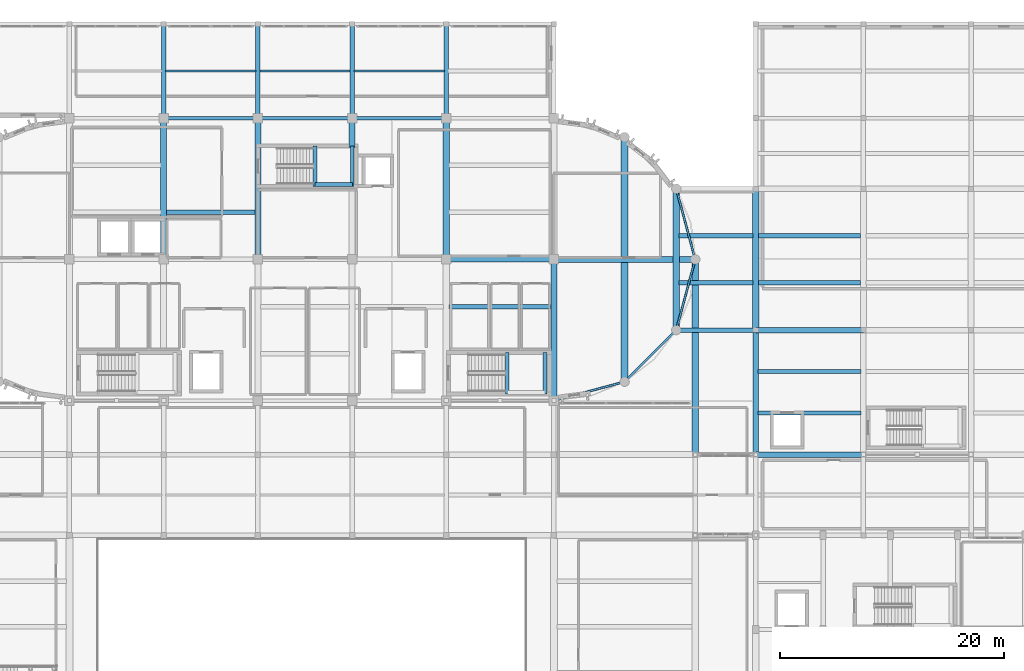
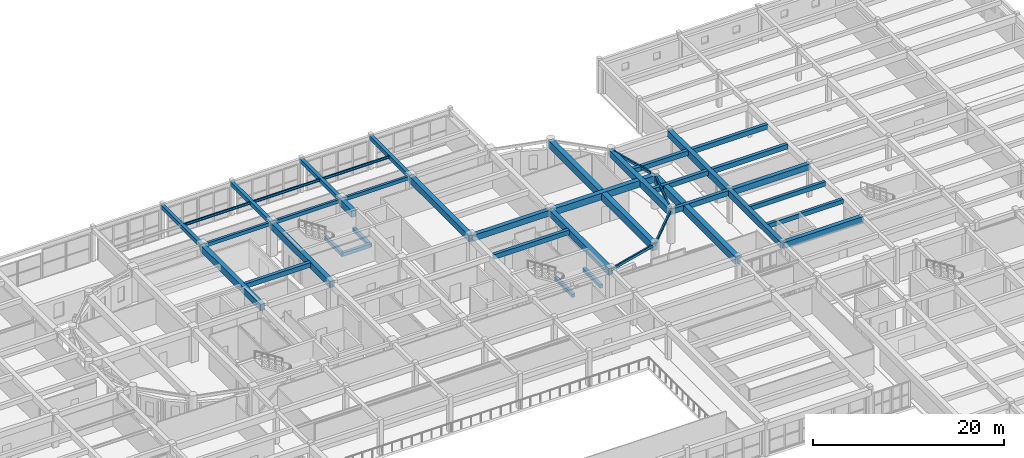
# One storey, part 38 of 92: 42 beams.
"""IFC4 building model written with IfcOpenShell, lengths in metres."""

from ifc_helpers import new_model, si_unit, direction, frame, origin, origin_2d, place, context, subcontext, project, spatial, rectangle, hollow_rectangle, i_section, extrude, material, material_profile, profile_set, type_object, element, save


model = new_model("IFC4")

# Units and contexts
model_context = context("Model", 3, precision=1e-05, world=origin(), true_north=direction((0.0, 1.0)))
body_context = subcontext(model_context, "Body", "Model", "MODEL_VIEW")
ifc_project = project(units=[si_unit("LENGTHUNIT", "METRE"), si_unit("AREAUNIT", "SQUARE_METRE"), si_unit("VOLUMEUNIT", "CUBIC_METRE"), si_unit("PLANEANGLEUNIT", "RADIAN"), si_unit("MASSUNIT", "GRAM", prefix="KILO")], contexts=[model_context])

# Site, building, storey
site_placement = place(None, origin())
site = spatial("IfcSite", under=ifc_project, at=site_placement, CompositionType="ELEMENT")
building_placement = place(site_placement, origin())
building = spatial("IfcBuilding", under=site, at=building_placement, Name="Tarnavel Promenade Courthouse", CompositionType="ELEMENT")
storey_placement = place(building_placement, frame((0.0, 0.0, 5.39990234375)))
storey = spatial("IfcBuildingStorey", under=building, at=storey_placement, Name="L02", CompositionType="ELEMENT", Elevation=5.39990234375)

# Beams
ifc_material_1 = material(Name="Concrete C40/50", Category="concrete")
ifc_material_profile_1 = material_profile(ifc_material_1, rectangle(XDim=0.35009765625, YDim=0.550048828125, at=origin_2d()), Name="PT 350x550")
ifc_profile_set_1 = profile_set([ifc_material_profile_1], Name="Concrete C40/50")
beam_type_1 = type_object("IfcBeamType", Name="Concrete C40/50 BM-PT-350x550 (PT 350x550)", PredefinedType="JOIST", material=ifc_profile_set_1)
for number, where, z_axis, x_axis, name in (
    (1, (120.219970703125, 78.10009765625, 3.960205078125), (1.0, 0.0, 0.0), (0.0, 1.0, 0.0), "L02 Secondary Floor Rib 1415"),
    (2, (120.219970703125, 81.800048828125, 3.960205078125), (1.0, 0.0, 0.0), (0.0, 1.0, 0.0), "L02 Secondary Floor Rib 1416"),
):
    element("IfcBeam", number, at=place(storey_placement, frame(where, z_axis=z_axis, x_axis=x_axis)), inside=storey, type_object=beam_type_1, Name=name, PredefinedType="JOIST", context=body_context, shape_type="SweptSolid", body=[
        extrude(rectangle(XDim=0.35009765625, YDim=0.550048828125, at=origin_2d()), origin(), (0.0, 0.0, 1.0), 9.159912109375),
    ])
ifc_material_profile_2 = material_profile(ifc_material_1, rectangle(XDim=0.39990234375, YDim=0.60009765625, at=origin_2d()), Name="PT 400x600")
ifc_profile_set_2 = profile_set([ifc_material_profile_2], Name="Concrete C40/50")
beam_type_2 = type_object("IfcBeamType", Name="Concrete C40/50 BM-PT-400x600 (PT 400x600)", PredefinedType="JOIST", material=ifc_profile_set_2)
for number, where, z_axis, x_axis, name in (
    (3, (113.156982421875, 89.699951171875, 3.93505859375), (1.0, 0.0, 0.0), (0.0, 1.0, 0.0), "L02 Secondary Floor Rib 1432"),
    (4, (113.156982421875, 93.89990234375, 3.93505859375), (1.0, 0.0, 0.0), (0.0, 1.0, 0.0), "L02 Secondary Floor Rib 1433"),
):
    element("IfcBeam", number, at=place(storey_placement, frame(where, z_axis=z_axis, x_axis=x_axis)), inside=storey, type_object=beam_type_2, Name=name, PredefinedType="JOIST", context=body_context, shape_type="SweptSolid", body=[
        extrude(rectangle(XDim=0.39990234375, YDim=0.60009765625, at=origin_2d()), origin(), (0.0, 0.0, 1.0), 6.597900390625),
    ])
for number, where, z_axis, x_axis, name in (
    (5, (120.2451171875, 89.699951171875, 3.93505859375), (1.0, 0.0, 0.0), (0.0, 1.0, 0.0), "L02 Secondary Floor Rib 1434"),
    (6, (120.2451171875, 93.89990234375, 3.93505859375), (1.0, 0.0, 0.0), (0.0, 1.0, 0.0), "L02 Secondary Floor Rib 1435"),
    (7, (92.64501953125, 87.60009765625, 3.93505859375), (1.0, 0.0, 0.0), (0.0, 1.0, 0.0), "L02 Secondary Floor Rib 1464"),
):
    element("IfcBeam", number, at=place(storey_placement, frame(where, z_axis=z_axis, x_axis=x_axis)), inside=storey, type_object=beam_type_2, Name=name, PredefinedType="JOIST", context=body_context, shape_type="SweptSolid", body=[
        extrude(rectangle(XDim=0.39990234375, YDim=0.60009765625, at=origin_2d()), origin(), (0.0, 0.0, 1.0), 9.10986328125),
    ])
beam_1_placement = place(storey_placement, frame((67.445068359375, 96.0, 3.93505859375), z_axis=(1.0, 0.0, 0.0), x_axis=(0.0, 1.0, 0.0)))
element("IfcBeam", 8, at=beam_1_placement, inside=storey, type_object=beam_type_2, Name="L02 Secondary Floor Rib 1467", PredefinedType="JOIST", context=body_context, shape_type="SweptSolid", body=[
    extrude(rectangle(XDim=0.39990234375, YDim=0.60009765625, at=origin_2d()), origin(), (0.0, 0.0, 1.0), 7.909912109375),
])
ifc_material_profile_3 = material_profile(ifc_material_1, rectangle(XDim=0.5, YDim=0.800048828125, at=origin_2d()), Name="PT 500x800")
ifc_profile_set_3 = profile_set([ifc_material_profile_3], Name="Concrete C40/50")
beam_type_3 = type_object("IfcBeamType", Name="Concrete C40/50 BM-PT-500x800 (PT 500x800)", PredefinedType="T_BEAM", material=ifc_profile_set_3)
beam_2_placement = place(storey_placement, frame((120.0, 74.39990234375, 3.835205078125), z_axis=(0.0, 1.0, 0.0), x_axis=(-1.0, 0.0, 0.0)))
element("IfcBeam", 9, at=beam_2_placement, inside=storey, type_object=beam_type_3, Name="L02 Transverse Girder 1319", PredefinedType="T_BEAM", context=body_context, shape_type="SweptSolid", body=[
    extrude(rectangle(XDim=0.5, YDim=0.800048828125, at=origin_2d()), origin(), (0.0, 0.0, 1.0), 11.10009765625),
])
ifc_material_profile_4 = material_profile(ifc_material_1, rectangle(XDim=0.550048828125, YDim=0.85009765625, at=origin_2d()), Name="PT 550x850")
ifc_profile_set_4 = profile_set([ifc_material_profile_4], Name="Concrete C40/50")
beam_type_4 = type_object("IfcBeamType", Name="Concrete C40/50 BM-PT-550x850 (PT 550x850)", PredefinedType="T_BEAM", material=ifc_profile_set_4)
beam_3_placement = place(storey_placement, frame((102.0, 91.800048828125, 3.81005859375), z_axis=(1.0, 0.0, 0.0), x_axis=(0.0, 1.0, 0.0)))
element("IfcBeam", 10, at=beam_3_placement, inside=storey, type_object=beam_type_4, Name="L02 Primary Longitudinal Beam 1189", PredefinedType="T_BEAM", context=body_context, shape_type="SweptSolid", body=[
    extrude(rectangle(XDim=0.550048828125, YDim=0.85009765625, at=origin_2d()), origin(), (0.0, 0.0, 1.0), 12.60009765625),
])
for number, where, z_axis, x_axis, name in (
    (11, (67.199951171875, 91.800048828125, 3.81005859375), (0.0, 1.0, 0.0), (-1.0, 0.0, 0.0), "L02 Transverse Girder 1286"),
    (12, (75.60009765625, 91.800048828125, 3.81005859375), (0.0, 1.0, 0.0), (-1.0, 0.0, 0.0), "L02 Transverse Girder 1291"),
):
    element("IfcBeam", number, at=place(storey_placement, frame(where, z_axis=z_axis, x_axis=x_axis)), inside=storey, type_object=beam_type_4, Name=name, PredefinedType="T_BEAM", context=body_context, shape_type="SweptSolid", body=[
        extrude(rectangle(XDim=0.550048828125, YDim=0.85009765625, at=origin_2d()), origin(), (0.0, 0.0, 1.0), 12.599853515625),
    ])
beam_4_placement = place(storey_placement, frame((84.0, 101.7900390625, 3.81005859375), z_axis=(0.0, 1.0, 0.0), x_axis=(-1.0, 0.0, 0.0)))
element("IfcBeam", 13, at=beam_4_placement, inside=storey, type_object=beam_type_4, Name="L02 Transverse Girder 1297", PredefinedType="T_BEAM", context=body_context, shape_type="SweptSolid", body=[
    extrude(rectangle(XDim=0.550048828125, YDim=0.85009765625, at=origin_2d()), origin(), (0.0, 0.0, 1.0), 2.60986328125),
])
beam_5_placement = place(storey_placement, frame((92.39990234375, 91.800048828125, 3.81005859375), z_axis=(0.0, 1.0, 0.0), x_axis=(-1.0, 0.0, 0.0)))
element("IfcBeam", 14, at=beam_5_placement, inside=storey, type_object=beam_type_4, Name="L02 Transverse Girder 1302", PredefinedType="T_BEAM", context=body_context, shape_type="SweptSolid", body=[
    extrude(rectangle(XDim=0.550048828125, YDim=0.85009765625, at=origin_2d()), origin(), (0.0, 0.0, 1.0), 12.599853515625),
])
for number, where, z_axis, x_axis, name in (
    (15, (102.0, 79.199951171875, 3.81005859375), (0.0, 1.0, 0.0), (-1.0, 0.0, 0.0), "L02 Transverse Girder 1307"),
    (16, (112.911865234375, 85.5, 3.81005859375), (0.0, 1.0, 0.0), (-1.0, 0.0, 0.0), "L02 Transverse Girder 1311"),
    (17, (120.0, 85.5, 3.81005859375), (0.0, 1.0, 0.0), (-1.0, 0.0, 0.0), "L02 Transverse Girder 1320"),
):
    element("IfcBeam", number, at=place(storey_placement, frame(where, z_axis=z_axis, x_axis=x_axis)), inside=storey, type_object=beam_type_4, Name=name, PredefinedType="T_BEAM", context=body_context, shape_type="SweptSolid", body=[
        extrude(rectangle(XDim=0.550048828125, YDim=0.85009765625, at=origin_2d()), origin(), (0.0, 0.0, 1.0), 12.60009765625),
    ])
ifc_material_profile_5 = material_profile(ifc_material_1, rectangle(XDim=0.60009765625, YDim=0.949951171875, at=origin_2d()), Name="PT 600x950")
ifc_profile_set_5 = profile_set([ifc_material_profile_5], Name="Concrete C40/50")
beam_type_5 = type_object("IfcBeamType", Name="Concrete C40/50 BM-PT-600x950 (PT 600x950)", PredefinedType="T_BEAM", material=ifc_profile_set_5)
beam_6_placement = place(storey_placement, frame((108.300048828125, 80.88818359375, 3.760009765625), z_axis=(0.0, 1.0, 0.0), x_axis=(-1.0, 0.0, 0.0)))
element("IfcBeam", 18, at=beam_6_placement, inside=storey, type_object=beam_type_5, Name="L02 Transverse Girder 1310", PredefinedType="T_BEAM", context=body_context, shape_type="SweptSolid", body=[
    extrude(rectangle(XDim=0.60009765625, YDim=0.949951171875, at=origin_2d()), origin(), (0.0, 0.0, 1.0), 21.82373046875),
])
beam_7_placement = place(storey_placement, frame((114.60009765625, 74.39990234375, 3.760009765625), z_axis=(0.0, 1.0, 0.0), x_axis=(-1.0, 0.0, 0.0)))
element("IfcBeam", 19, at=beam_7_placement, inside=storey, type_object=beam_type_5, Name="L02 Transverse Girder 1314", PredefinedType="T_BEAM", context=body_context, shape_type="SweptSolid", body=[
    extrude(rectangle(XDim=0.60009765625, YDim=0.949951171875, at=origin_2d()), origin(), (0.0, 0.0, 1.0), 17.400146484375),
])
ifc_material_profile_6 = material_profile(ifc_material_1, rectangle(XDim=0.35009765625, YDim=0.449951171875, at=origin_2d()), Name="RC 350x450")
ifc_profile_set_6 = profile_set([ifc_material_profile_6], Name="Concrete C40/50")
beam_type_6 = type_object("IfcBeamType", Name="Concrete C40/50 BM-RC-350x450 (RC 350x450)", PredefinedType="BEAM", material=ifc_profile_set_6)
for number, where, z_axis, x_axis, name in (
    (20, (97.840087890625, 79.800048828125, 1.820068359375), (0.0, 1.0, 0.0), (-1.0, 0.0, 0.0), "L02 ST-02 Mid-Landing Support Beam Near"),
    (21, (101.219970703125, 79.800048828125, 1.820068359375), (0.0, 1.0, 0.0), (-1.0, 0.0, 0.0), "L02 ST-02 Mid-Landing Support Beam Far"),
):
    element("IfcBeam", number, at=place(storey_placement, frame(where, z_axis=z_axis, x_axis=x_axis)), inside=storey, type_object=beam_type_6, Name=name, PredefinedType="BEAM", context=body_context, shape_type="SweptSolid", body=[
        extrude(rectangle(XDim=0.35009765625, YDim=0.449951171875, at=origin_2d()), origin(), (0.0, 0.0, 1.0), 3.719970703125),
    ])
for number, where, z_axis, x_axis, name in (
    (22, (80.68994140625, 98.320068359375, 1.820068359375), (0.0, 1.0, 0.0), (-1.0, 0.0, 0.0), "L02 ST-03 Mid-Landing Support Beam Near"),
    (23, (84.02001953125, 98.320068359375, 1.820068359375), (0.0, 1.0, 0.0), (-1.0, 0.0, 0.0), "L02 ST-03 Mid-Landing Support Beam Far"),
):
    element("IfcBeam", number, at=place(storey_placement, frame(where, z_axis=z_axis, x_axis=x_axis)), inside=storey, type_object=beam_type_6, Name=name, PredefinedType="BEAM", context=body_context, shape_type="SweptSolid", body=[
        extrude(rectangle(XDim=0.35009765625, YDim=0.449951171875, at=origin_2d()), origin(), (0.0, 0.0, 1.0), 3.599853515625),
    ])
beam_8_placement = place(storey_placement, frame((80.68994140625, 98.469970703125, 1.820068359375), z_axis=(1.0, 0.0, 0.0), x_axis=(0.0, 1.0, 0.0)))
element("IfcBeam", 24, at=beam_8_placement, inside=storey, type_object=beam_type_6, Name="L02 ST-03 Mid-Landing Edge Trimmer", PredefinedType="BEAM", context=body_context, shape_type="SweptSolid", body=[
    extrude(rectangle(XDim=0.35009765625, YDim=0.449951171875, at=origin_2d()), origin(), (0.0, 0.0, 1.0), 3.330078125),
])
ifc_material_profile_7 = material_profile(ifc_material_1, rectangle(XDim=0.39990234375, YDim=0.5, at=origin_2d()), Name="RC 400x500")
ifc_profile_set_7 = profile_set([ifc_material_profile_7], Name="Concrete C40/50")
beam_type_7 = type_object("IfcBeamType", Name="Concrete C40/50 BM-RC-400x500 (RC 400x500)", PredefinedType="BEAM", material=ifc_profile_set_7)
for number, where, z_axis, x_axis, name in (
    (25, (67.199951171875, 104.39990234375, 3.985107421875), (0.0, 1.0, 0.0), (-1.0, 0.0, 0.0), "L02 Transverse Girder 1287"),
    (26, (75.60009765625, 104.39990234375, 3.985107421875), (0.0, 1.0, 0.0), (-1.0, 0.0, 0.0), "L02 Transverse Girder 1292"),
    (27, (84.0, 104.39990234375, 3.985107421875), (0.0, 1.0, 0.0), (-1.0, 0.0, 0.0), "L02 Transverse Girder 1298"),
    (28, (92.39990234375, 104.39990234375, 3.985107421875), (0.0, 1.0, 0.0), (-1.0, 0.0, 0.0), "L02 Transverse Girder 1303"),
):
    element("IfcBeam", number, at=place(storey_placement, frame(where, z_axis=z_axis, x_axis=x_axis)), inside=storey, type_object=beam_type_7, Name=name, PredefinedType="BEAM", context=body_context, shape_type="SweptSolid", body=[
        extrude(rectangle(XDim=0.39990234375, YDim=0.5, at=origin_2d()), origin(), (0.0, 0.0, 1.0), 8.400146484375),
    ])
ifc_material_profile_8 = material_profile(ifc_material_1, rectangle(XDim=0.39990234375, YDim=0.64990234375, at=origin_2d()), Name="RC 400x650")
ifc_profile_set_8 = profile_set([ifc_material_profile_8], Name="Concrete C40/50")
beam_type_8 = type_object("IfcBeamType", Name="Concrete C40/50 BM-RC-400x650 (RC 400x650)", PredefinedType="BEAM", material=ifc_profile_set_8)
beam_9_placement = place(storey_placement, frame((112.911865234375, 85.5, 3.91015625), z_axis=(1.0, 0.0, 0.0), x_axis=(0.0, 1.0, 0.0)))
element("IfcBeam", 29, at=beam_9_placement, inside=storey, type_object=beam_type_8, Name="L02 Primary Longitudinal Beam 1178", PredefinedType="BEAM", context=body_context, shape_type="SweptSolid", body=[
    extrude(rectangle(XDim=0.39990234375, YDim=0.64990234375, at=origin_2d()), origin(), (0.0, 0.0, 1.0), 7.088134765625),
])
ifc_material_profile_9 = material_profile(ifc_material_1, rectangle(XDim=0.5, YDim=0.75, at=origin_2d()), Name="RC 500x750")
ifc_profile_set_9 = profile_set([ifc_material_profile_9], Name="Concrete C40/50")
beam_type_9 = type_object("IfcBeamType", Name="Concrete C40/50 BM-RC-500x750 (RC 500x750)", PredefinedType="T_BEAM", material=ifc_profile_set_9)
for number, where, z_axis, x_axis, name in (
    (30, (120.0, 74.39990234375, 3.860107421875), (1.0, 0.0, 0.0), (0.0, 1.0, 0.0), "L02 Primary Longitudinal Beam 1163"),
    (31, (120.0, 85.5, 3.860107421875), (1.0, 0.0, 0.0), (0.0, 1.0, 0.0), "L02 Primary Longitudinal Beam 1179"),
    (32, (92.39990234375, 91.800048828125, 3.860107421875), (1.0, 0.0, 0.0), (0.0, 1.0, 0.0), "L02 Primary Longitudinal Beam 1188"),
):
    element("IfcBeam", number, at=place(storey_placement, frame(where, z_axis=z_axis, x_axis=x_axis)), inside=storey, type_object=beam_type_9, Name=name, PredefinedType="T_BEAM", context=body_context, shape_type="SweptSolid", body=[
        extrude(rectangle(XDim=0.5, YDim=0.75, at=origin_2d()), origin(), (0.0, 0.0, 1.0), 9.60009765625),
    ])
ifc_material_profile_10 = material_profile(ifc_material_1, rectangle(XDim=0.300048828125, YDim=0.449951171875, at=origin_2d()), Name="RC 300x450")
ifc_profile_set_10 = profile_set([ifc_material_profile_10], Name="Concrete C40/50")
beam_type_10 = type_object("IfcBeamType", Name="Concrete C40/50 BM-SP-300x450 (RC 300x450)", PredefinedType="SPANDREL", material=ifc_profile_set_10)
beam_10_placement = place(storey_placement, frame((67.199951171875, 104.39990234375, 4.010009765625), z_axis=(1.0, 0.0, 0.0), x_axis=(0.0, 1.0, 0.0)))
element("IfcBeam", 33, at=beam_10_placement, inside=storey, type_object=beam_type_10, Name="L02 Primary Longitudinal Beam 1202", PredefinedType="SPANDREL", context=body_context, shape_type="SweptSolid", body=[
    extrude(rectangle(XDim=0.300048828125, YDim=0.449951171875, at=origin_2d()), origin(), (0.0, 0.0, 1.0), 8.400146484375),
])
for number, where, z_axis, x_axis, name in (
    (34, (75.60009765625, 104.39990234375, 4.010009765625), (1.0, 0.0, 0.0), (0.0, 1.0, 0.0), "L02 Primary Longitudinal Beam 1203"),
    (35, (84.0, 104.39990234375, 4.010009765625), (1.0, 0.0, 0.0), (0.0, 1.0, 0.0), "L02 Primary Longitudinal Beam 1204"),
):
    element("IfcBeam", number, at=place(storey_placement, frame(where, z_axis=z_axis, x_axis=x_axis)), inside=storey, type_object=beam_type_10, Name=name, PredefinedType="SPANDREL", context=body_context, shape_type="SweptSolid", body=[
        extrude(rectangle(XDim=0.300048828125, YDim=0.449951171875, at=origin_2d()), origin(), (0.0, 0.0, 1.0), 8.39990234375),
    ])
ifc_material_2 = material(Name="Steel S355J2", Category="steel")
ifc_material_profile_11 = material_profile(ifc_material_2, i_section(OverallWidth=0.159912109375, OverallDepth=0.330078125, WebThickness=0.007568359375, FlangeThickness=0.011474609375, FilletRadius=0.01806640625, at=origin_2d()), Name="IPE 330")
ifc_profile_set_11 = profile_set([ifc_material_profile_11], Name="Steel S355J2")
beam_type_11 = type_object("IfcBeamType", Name="Steel S355J2 BM-ST-IPE330 (IPE 330)", PredefinedType="JOIST", material=ifc_profile_set_11)
beam_11_placement = place(storey_placement, frame((67.3701171875, 108.60009765625, 4.070068359375), z_axis=(1.0, 0.0, 0.0), x_axis=(0.0, 1.0, 0.0)))
element("IfcBeam", 36, at=beam_11_placement, inside=storey, type_object=beam_type_11, Name="L02 Secondary Floor Rib 1471", PredefinedType="JOIST", context=body_context, shape_type="SweptSolid", body=[
    extrude(i_section(OverallWidth=0.159912109375, OverallDepth=0.330078125, WebThickness=0.007568359375, FlangeThickness=0.011474609375, FilletRadius=0.01806640625, at=origin_2d()), origin(), (0.0, 0.0, 1.0), 8.059814453125),
])
for number, where, z_axis, x_axis, name in (
    (37, (75.77001953125, 108.60009765625, 4.070068359375), (1.0, 0.0, 0.0), (0.0, 1.0, 0.0), "L02 Secondary Floor Rib 1472"),
    (38, (84.169921875, 108.60009765625, 4.070068359375), (1.0, 0.0, 0.0), (0.0, 1.0, 0.0), "L02 Secondary Floor Rib 1473"),
):
    element("IfcBeam", number, at=place(storey_placement, frame(where, z_axis=z_axis, x_axis=x_axis)), inside=storey, type_object=beam_type_11, Name=name, PredefinedType="JOIST", context=body_context, shape_type="SweptSolid", body=[
        extrude(i_section(OverallWidth=0.159912109375, OverallDepth=0.330078125, WebThickness=0.007568359375, FlangeThickness=0.011474609375, FilletRadius=0.01806640625, at=origin_2d()), origin(), (0.0, 0.0, 1.0), 8.06005859375),
    ])
ifc_material_profile_12 = material_profile(ifc_material_2, hollow_rectangle(XDim=0.199951171875, YDim=0.35009765625, WallThickness=0.012451171875, InnerFilletRadius=0.012451171875, OuterFilletRadius=0.02490234375, at=origin_2d()), Name="RHS 350x200x12.5")
ifc_profile_set_12 = profile_set([ifc_material_profile_12], Name="Steel S355J2")
beam_type_12 = type_object("IfcBeamType", Name="Steel S355J2 BM-ST-RHS350 (RHS 350x200x12.5)", PredefinedType="SPANDREL", material=ifc_profile_set_12)
beam_12_placement = place(storey_placement, frame((102.0, 79.199951171875, 4.06005859375), z_axis=(0.965920481897, 0.258838989821, 0.0), x_axis=(-0.258838989821, 0.965920481897, 0.0)))
element("IfcBeam", 39, at=beam_12_placement, inside=storey, type_object=beam_type_12, Name="L02 Drum Ring Spandrel 1521", PredefinedType="SPANDREL", context=body_context, shape_type="SweptSolid", body=[
    extrude(hollow_rectangle(XDim=0.199951171875, YDim=0.35009765625, WallThickness=0.012451171875, InnerFilletRadius=0.012451171875, OuterFilletRadius=0.02490234375, at=origin_2d()), origin(), (0.0, 0.0, 1.0), 6.522216796875),
])
beam_13_placement = place(storey_placement, frame((108.300048828125, 80.88818359375, 4.06005859375), z_axis=(0.707106781187, 0.707106781187, 0.0), x_axis=(-0.707106781187, 0.707106781187, 0.0)))
element("IfcBeam", 40, at=beam_13_placement, inside=storey, type_object=beam_type_12, Name="L02 Drum Ring Spandrel 1522", PredefinedType="SPANDREL", context=body_context, shape_type="SweptSolid", body=[
    extrude(hollow_rectangle(XDim=0.199951171875, YDim=0.35009765625, WallThickness=0.012451171875, InnerFilletRadius=0.012451171875, OuterFilletRadius=0.02490234375, at=origin_2d()), origin(), (0.0, 0.0, 1.0), 6.52197265625),
])
for number, where, z_axis, x_axis, name in (
    (41, (112.911865234375, 85.5, 4.06005859375), (0.258838989821, 0.965920481897, 0.0), (-0.965920481897, 0.258838989821, 0.0), "L02 Drum Ring Spandrel 1523"),
    (42, (114.60009765625, 91.800048828125, 4.06005859375), (-0.258838989821, 0.965920481897, 0.0), (-0.965920481897, -0.258838989821, 0.0), "L02 Drum Ring Spandrel 1524"),
):
    element("IfcBeam", number, at=place(storey_placement, frame(where, z_axis=z_axis, x_axis=x_axis)), inside=storey, type_object=beam_type_12, Name=name, PredefinedType="SPANDREL", context=body_context, shape_type="SweptSolid", body=[
        extrude(hollow_rectangle(XDim=0.199951171875, YDim=0.35009765625, WallThickness=0.012451171875, InnerFilletRadius=0.012451171875, OuterFilletRadius=0.02490234375, at=origin_2d()), origin(), (0.0, 0.0, 1.0), 6.522216796875),
    ])

save(model, "model.ifc")
